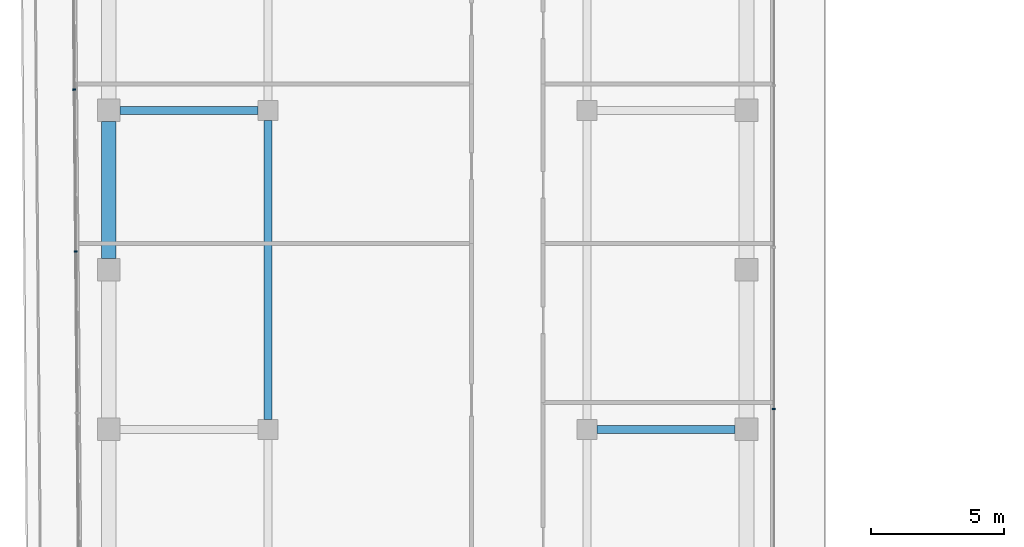
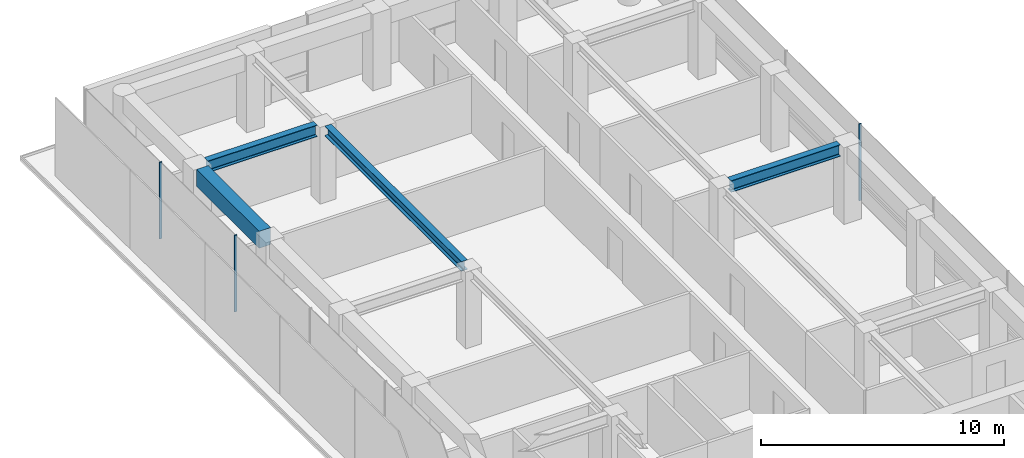
# One storey, part 11 of 19: 4 beams, 3 members, 2 elements without a shape of their own.
"""IFC4 building model written with IfcOpenShell, lengths in metres."""

from ifc_helpers import new_model, si_unit, direction, frame, origin, origin_2d, place, context, subcontext, project, spatial, rectangle, i_section, extrude, material, layer, layer_set, material_profile, profile_set, type_object, element, aggregate, save


model = new_model("IFC4")

# Units and contexts
model_context = context("Model", 3, precision=1e-05, world=origin(), true_north=direction((0.0, 1.0)))
body_context = subcontext(model_context, "Body", "Model", "MODEL_VIEW")
ifc_project = project(units=[si_unit("LENGTHUNIT", "METRE"), si_unit("AREAUNIT", "SQUARE_METRE"), si_unit("VOLUMEUNIT", "CUBIC_METRE"), si_unit("PLANEANGLEUNIT", "RADIAN"), si_unit("MASSUNIT", "GRAM", prefix="KILO")], contexts=[model_context])

# Site, building, storey
site_placement = place(None, origin())
site = spatial("IfcSite", under=ifc_project, at=site_placement, CompositionType="ELEMENT")
building_placement = place(site_placement, origin())
building = spatial("IfcBuilding", under=site, at=building_placement, Name="Welwitschia Terrace Campus", CompositionType="ELEMENT")
storey_placement = place(building_placement, frame((0.0, 0.0, 171.800048828125)))
storey = spatial("IfcBuildingStorey", under=building, at=storey_placement, Name="L38", CompositionType="ELEMENT", Elevation=171.800048828125)

# Beam
ifc_material_1 = material(Name="Steel S355", Category="steel")
ifc_material_profile_1 = material_profile(ifc_material_1, i_section(OverallWidth=0.300048828125, OverallDepth=0.489990234375, WebThickness=0.011962890625, FlangeThickness=0.02294921875, FilletRadius=0.027099609375, at=origin_2d()))
ifc_profile_set_1 = profile_set([ifc_material_profile_1], Name="Steel S355")
beam_type_1 = type_object("IfcBeamType", Name="Interior girder HE 500 A", PredefinedType="BEAM", material=ifc_profile_set_1)
beam_1_placement = place(storey_placement, frame((6.0, 44.37548828125, 3.60498046875), z_axis=(0.0, 1.0, 0.0), x_axis=(-1.0, 0.0, 0.0)))
element("IfcBeam", 1, at=beam_1_placement, inside=storey, type_object=beam_type_1, Name="Girder GB4", PredefinedType="BEAM", context=body_context, shape_type="SweptSolid", body=[
    extrude(i_section(OverallWidth=0.300048828125, OverallDepth=0.489990234375, WebThickness=0.011962890625, FlangeThickness=0.02294921875, FilletRadius=0.027099609375, at=origin_2d()), origin(), (0.0, 0.0, 1.0), 11.2490234375),
])

# Curtain wall, members
ifc_material_2 = material(Name="Bronze anodised aluminium", Category="aluminium")
ifc_layer = layer(ifc_material_2, 0.1201171875)
ifc_layer_set = layer_set([ifc_layer], Name="Bronze anodised aluminium")
curtain_wall_type = type_object("IfcCurtainWallType", Name="Curtain wall CW2 tower 6000", PredefinedType="NOTDEFINED", material=ifc_layer_set)
curtain_wall_1_placement = place(storey_placement, origin())
curtain_wall_1 = element("IfcCurtainWall", 2, at=curtain_wall_1_placement, inside=storey, type_object=curtain_wall_type, Name="CW L38.0.0", PredefinedType="NOTDEFINED")
ifc_material_3 = material(Name="Bronze anodised aluminium", Category="aluminium")
ifc_material_profile_2 = material_profile(ifc_material_3, rectangle(XDim=0.1201171875, YDim=0.06005859375, at=origin_2d()))
ifc_profile_set_2 = profile_set([ifc_material_profile_2], Name="Bronze anodised aluminium")
member_type = type_object("IfcMemberType", Name="Mullion 60x120", PredefinedType="MULLION", material=ifc_profile_set_2)
member_1_placement = place(storey_placement, frame((-1.29541015625, 56.778076171875, 0.0), z_axis=(0.0, 0.0, 1.0), x_axis=(0.999961923064, 0.008726535498, 0.0)))
member_1 = element("IfcMember", 3, at=member_1_placement, type_object=member_type, Name="Mullion L38.0.0.1", PredefinedType="MULLION", context=body_context, shape_type="SweptSolid", body=[
    extrude(rectangle(XDim=0.1201171875, YDim=0.06005859375, at=origin_2d()), origin(), (0.0, 0.0, 1.0), 3.849853515625),
])
member_2_placement = place(storey_placement, frame((-1.242431640625, 50.695556640625, 0.0), z_axis=(0.0, 0.0, 1.0), x_axis=(0.999961923064, 0.008726535498, 0.0)))
member_2 = element("IfcMember", 4, at=member_2_placement, type_object=member_type, Name="Mullion L38.0.0.2", PredefinedType="MULLION", context=body_context, shape_type="SweptSolid", body=[
    extrude(rectangle(XDim=0.1201171875, YDim=0.06005859375, at=origin_2d()), origin(), (0.0, 0.0, 1.0), 3.849853515625),
])
aggregate(curtain_wall_1, [member_1, member_2])

# Curtain wall, member
curtain_wall_2_placement = place(storey_placement, origin())
curtain_wall_2 = element("IfcCurtainWall", 5, at=curtain_wall_2_placement, inside=storey, type_object=curtain_wall_type, Name="CW L38.10.0", PredefinedType="NOTDEFINED")
member_3_placement = place(storey_placement, frame((25.030029296875, 44.758056640625, 0.0), z_axis=(0.0, 0.0, 1.0), x_axis=(-1.0, 0.0, 0.0)))
member_3 = element("IfcMember", 6, at=member_3_placement, type_object=member_type, Name="Mullion L38.10.0.3", PredefinedType="MULLION", context=body_context, shape_type="SweptSolid", body=[
    extrude(rectangle(XDim=0.1201171875, YDim=0.06005859375, at=origin_2d()), origin(), (0.0, 0.0, 1.0), 3.849853515625),
])
aggregate(curtain_wall_2, [member_3])

# Beams
ifc_material_4 = material(Name="Steel S355", Category="steel")
ifc_material_profile_3 = material_profile(ifc_material_4, i_section(OverallWidth=0.300048828125, OverallDepth=0.590087890625, WebThickness=0.012939453125, FlangeThickness=0.02490234375, FilletRadius=0.027099609375, at=origin_2d()))
ifc_profile_set_3 = profile_set([ifc_material_profile_3], Name="Steel S355")
beam_type_2 = type_object("IfcBeamType", Name="Primary beam HE 600 A", PredefinedType="BEAM", material=ifc_profile_set_3)
for number, where, z_axis, x_axis, name in (
    (7, (23.574462890625, 44.0, 3.554931640625), (-1.0, 0.0, 0.0), (0.0, -1.0, 0.0), "Primary beam PB4"),
    (8, (0.425537109375, 56.0, 3.554931640625), (1.0, 0.0, 0.0), (0.0, 1.0, 0.0), "Primary beam PB4"),
):
    element("IfcBeam", number, at=place(storey_placement, frame(where, z_axis=z_axis, x_axis=x_axis)), inside=storey, type_object=beam_type_2, Name=name, PredefinedType="BEAM", context=body_context, shape_type="SweptSolid", body=[
        extrude(i_section(OverallWidth=0.300048828125, OverallDepth=0.590087890625, WebThickness=0.012939453125, FlangeThickness=0.02490234375, FilletRadius=0.027099609375, at=origin_2d()), origin(), (0.0, 0.0, 1.0), 5.198974609375),
    ])
ifc_material_5 = material(Name="Concrete C50/60", Category="concrete")
ifc_material_profile_4 = material_profile(ifc_material_5, rectangle(XDim=0.550048828125, YDim=0.85009765625, at=origin_2d()))
ifc_profile_set_4 = profile_set([ifc_material_profile_4], Name="Concrete C50/60")
beam_type_3 = type_object("IfcBeamType", Name="Ring spandrel 550x850", PredefinedType="SPANDREL", material=ifc_profile_set_4)
beam_2_placement = place(storey_placement, frame((0.0, 55.574462890625, 3.425048828125), z_axis=(0.0, -1.0, 0.0), x_axis=(1.0, 0.0, 0.0)))
element("IfcBeam", 9, at=beam_2_placement, inside=storey, type_object=beam_type_3, Name="Spandrel SP3", PredefinedType="SPANDREL", context=body_context, shape_type="SweptSolid", body=[
    extrude(rectangle(XDim=0.550048828125, YDim=0.85009765625, at=origin_2d()), origin(), (0.0, 0.0, 1.0), 5.14892578125),
])

save(model, "model.ifc")
